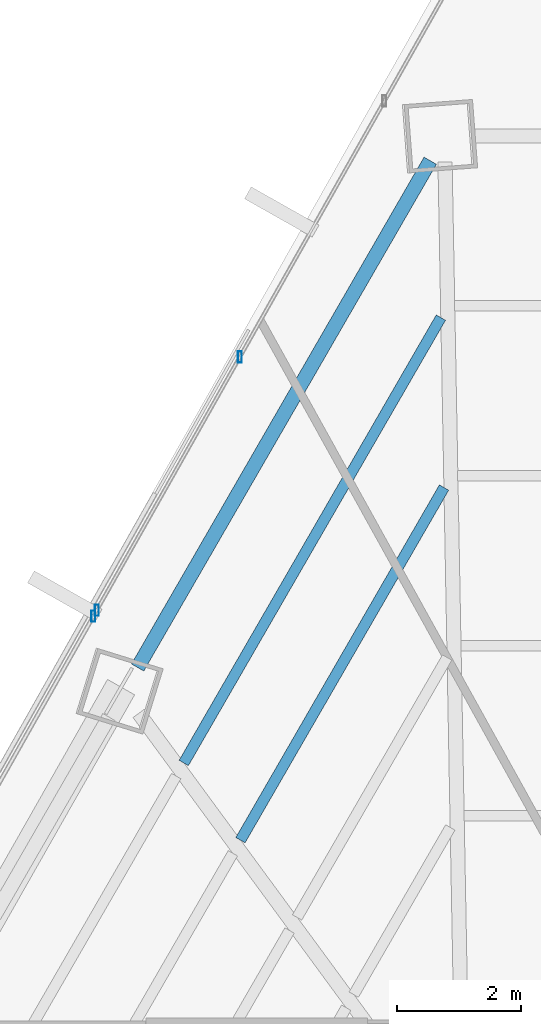
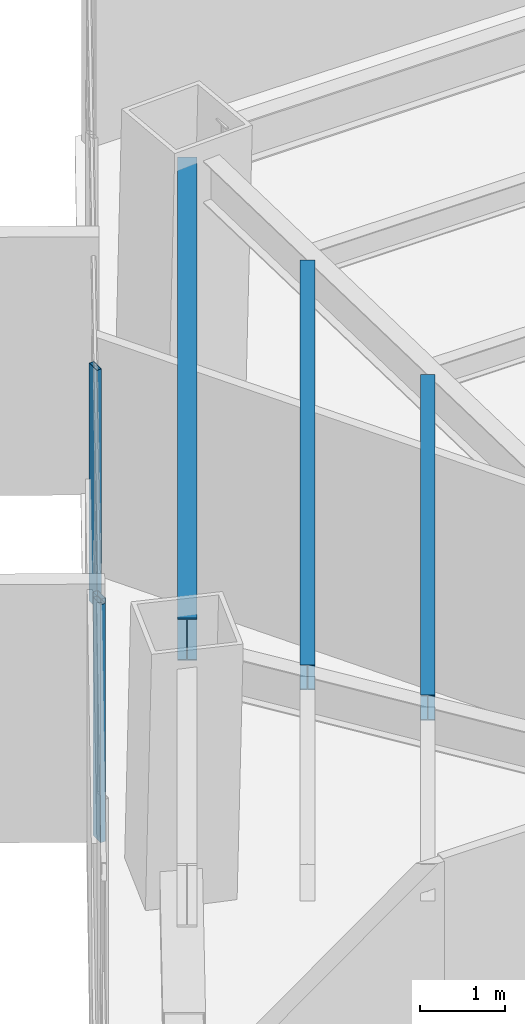
# One storey, part 23 of 35: 3 beams, 3 members, 2 elements without a shape of their own.
"""IFC4 building model written with IfcOpenShell, lengths in metres."""

from ifc_helpers import new_model, si_unit, direction, frame, origin, origin_2d, place, context, subcontext, project, spatial, hollow_rectangle, i_section, extrude, source, transform, mapped, material, material_profile, profile_set, type_object, type_shapes, element, aggregate, save


model = new_model("IFC4")

# Units and contexts
model_context = context("Model", 3, precision=1e-05, world=origin(), true_north=direction((0.0, 1.0)))
body_context = subcontext(model_context, "Body", "Model", "MODEL_VIEW")
ifc_project = project(units=[si_unit("LENGTHUNIT", "METRE"), si_unit("AREAUNIT", "SQUARE_METRE"), si_unit("VOLUMEUNIT", "CUBIC_METRE"), si_unit("PLANEANGLEUNIT", "RADIAN"), si_unit("MASSUNIT", "GRAM", prefix="KILO")], contexts=[model_context])

# Site, building, storey
site_placement = place(None, origin())
site = spatial("IfcSite", under=ifc_project, at=site_placement, CompositionType="ELEMENT")
building_placement = place(site_placement, origin())
building = spatial("IfcBuilding", under=site, at=building_placement, Name="Caelisora Broadcast Tower", CompositionType="ELEMENT")
storey_placement = place(building_placement, frame((0.0, 0.0, 87.14990234375)))
storey = spatial("IfcBuildingStorey", under=building, at=storey_placement, Name="L22", CompositionType="ELEMENT", Elevation=87.14990234375)

# Beams
ifc_material_1 = material(Name="Steel Grade 350 (AS/NZS 3679.1)", Category="steel")
ifc_material_profile_1 = material_profile(ifc_material_1, i_section(OverallWidth=0.22900390625, OverallDepth=0.611572265625, WebThickness=0.011962890625, FlangeThickness=0.01953125, at=origin_2d()), Name="Steel Grade 350 (AS/NZS 3679.1)")
ifc_profile_set_1 = profile_set([ifc_material_profile_1], Name="Steel Grade 350 (AS/NZS 3679.1)")
beam_type_1 = type_object("IfcBeamType", Name="PG03", PredefinedType="BEAM", material=ifc_profile_set_1)
shared_shape_1 = source(origin(), body_context, "Body", "SweptSolid", [
    extrude(i_section(OverallWidth=0.22900390625, OverallDepth=0.611572265625, WebThickness=0.011962890625, FlangeThickness=0.01953125, at=origin_2d()), origin(), (0.0, 0.0, 1.0), 9.40234375),
])
type_shapes(beam_type_1, [shared_shape_1])
beam_1_placement = place(storey_placement, frame((29.96826171875, 45.98486328125, 3.09423828125), z_axis=(-0.500004164094, -0.86602299963, 0.0), x_axis=(0.86602299963, -0.500004164094, 0.0)))
element("IfcBeam", 1, at=beam_1_placement, inside=storey, type_object=beam_type_1, Name="L22 beam PG03", PredefinedType="BEAM", context=body_context, shape_type="MappedRepresentation", body=[
    mapped(shared_shape_1, transform((0.0, 0.0, 0.0), scale=1.0)),
])
ifc_material_profile_2 = material_profile(ifc_material_1, i_section(OverallWidth=0.172119140625, OverallDepth=0.358642578125, WebThickness=0.008056640625, FlangeThickness=0.012939453125, at=origin_2d()), Name="Steel Grade 350 (AS/NZS 3679.1)")
ifc_profile_set_2 = profile_set([ifc_material_profile_2], Name="Steel Grade 350 (AS/NZS 3679.1)")
beam_type_2 = type_object("IfcBeamType", Name="SB02", PredefinedType="JOIST", material=ifc_profile_set_2)
shared_shape_2 = source(origin(), body_context, "Body", "SweptSolid", [
    extrude(i_section(OverallWidth=0.172119140625, OverallDepth=0.358642578125, WebThickness=0.008056640625, FlangeThickness=0.012939453125, at=origin_2d()), origin(), (0.0, 0.0, 1.0), 6.5419921875),
])
beam_2_placement = place(storey_placement, frame((30.189697265625, 40.7333984375, 3.220703125), z_axis=(-0.500000270186, -0.866025247793, 0.0), x_axis=(0.866025247793, -0.500000270186, 0.0)))
element("IfcBeam", 2, at=beam_2_placement, inside=storey, type_object=beam_type_2, Name="L22 beam SB02", PredefinedType="JOIST", context=body_context, shape_type="MappedRepresentation", body=[
    mapped(shared_shape_2, transform((0.0, 0.0, 0.0), scale=1.0)),
])
shared_shape_3 = source(origin(), body_context, "Body", "SweptSolid", [
    extrude(i_section(OverallWidth=0.172119140625, OverallDepth=0.358642578125, WebThickness=0.008056640625, FlangeThickness=0.012939453125, at=origin_2d()), origin(), (0.0, 0.0, 1.0), 8.262451171875),
])
type_shapes(beam_type_2, [shared_shape_2, shared_shape_3])
beam_3_placement = place(storey_placement, frame((30.139404296875, 43.4638671875, 3.220703125), z_axis=(-0.499987610924, -0.866032556503, 0.0), x_axis=(0.866032556503, -0.499987610924, 0.0)))
element("IfcBeam", 3, at=beam_3_placement, inside=storey, type_object=beam_type_2, Name="L22 beam SB02", PredefinedType="JOIST", context=body_context, shape_type="MappedRepresentation", body=[
    mapped(shared_shape_3, transform((0.0, 0.0, 0.0), scale=1.0)),
])

# Curtain wall, member
ifc_material_2 = material(Name="Unitised Aluminium Insulated Shadow-Box Spandrel Curtain Wall", Category="aluminium")
curtain_wall_type_1 = type_object("IfcCurtainWallType", Name="CW-SP1", PredefinedType="NOTDEFINED", material=ifc_material_2)
curtain_wall_1_placement = place(storey_placement, origin())
curtain_wall_1 = element("IfcCurtainWall", 4, at=curtain_wall_1_placement, inside=storey, type_object=curtain_wall_type_1, Name="L22 curtain wall CW-SP1", PredefinedType="NOTDEFINED")
ifc_material_3 = material(Name="Aluminium 6063-T6 Anodised Terracotta Bronze", Category="aluminium")
ifc_material_profile_3 = material_profile(ifc_material_3, hollow_rectangle(XDim=0.06494140625, YDim=0.179931640625, WallThickness=0.00341796875, at=origin_2d()), Name="Aluminium 6063-T6 Anodised Terracotta Bronze")
ifc_profile_set_3 = profile_set([ifc_material_profile_3], Name="Aluminium 6063-T6 Anodised Terracotta Bronze")
member_type = type_object("IfcMemberType", Name="CWM-02", PredefinedType="MULLION", material=ifc_profile_set_3)
shared_shape_4 = source(origin(), body_context, "Body", "SweptSolid", [
    extrude(hollow_rectangle(XDim=0.06494140625, YDim=0.179931640625, WallThickness=0.00341796875, at=origin_2d()), origin(), (0.0, 0.0, 1.0), 3.400146484375),
])
type_shapes(member_type, [shared_shape_4])
member_1_placement = place(storey_placement, frame((24.557373046875, 38.6669921875, 0.0), z_axis=(0.0, 0.0, 1.0), x_axis=(1.0, 0.0, 0.0)))
member_1 = element("IfcMember", 5, at=member_1_placement, type_object=member_type, Name="L22-CW-B10 mullion #3", PredefinedType="MULLION", context=body_context, shape_type="MappedRepresentation", body=[
    mapped(shared_shape_4, transform((0.0, 0.0, 0.0), scale=1.0)),
])
aggregate(curtain_wall_1, [member_1])

# Curtain wall, members
ifc_material_4 = material(Name="Unitised Aluminium and Low-E Glass Curtain Wall", Category="glass")
curtain_wall_type_2 = type_object("IfcCurtainWallType", Name="CW-Z2", PredefinedType="NOTDEFINED", material=ifc_material_4)
curtain_wall_2_placement = place(storey_placement, origin())
curtain_wall_2 = element("IfcCurtainWall", 6, at=curtain_wall_2_placement, inside=storey, type_object=curtain_wall_type_2, Name="L22 curtain wall CW-Z2", PredefinedType="NOTDEFINED")
member_2_placement = place(storey_placement, frame((24.611572265625, 38.762939453125, 0.0), z_axis=(0.0, 0.0, 1.0), x_axis=(1.0, 0.0, 0.0)))
member_2 = element("IfcMember", 7, at=member_2_placement, type_object=member_type, Name="L22-CW-B11 mullion #0", PredefinedType="MULLION", context=body_context, shape_type="MappedRepresentation", body=[
    mapped(shared_shape_4, transform((0.0, 0.0, 0.0), scale=1.0)),
])
member_3_placement = place(storey_placement, frame((26.90966796875, 42.831787109375, 0.0), z_axis=(0.0, 0.0, 1.0), x_axis=(1.0, 0.0, 0.0)))
member_3 = element("IfcMember", 8, at=member_3_placement, type_object=member_type, Name="L22-CW-B11 mullion #1", PredefinedType="MULLION", context=body_context, shape_type="MappedRepresentation", body=[
    mapped(shared_shape_4, transform((0.0, 0.0, 0.0), scale=1.0)),
])
aggregate(curtain_wall_2, [member_2, member_3])

save(model, "model.ifc")
